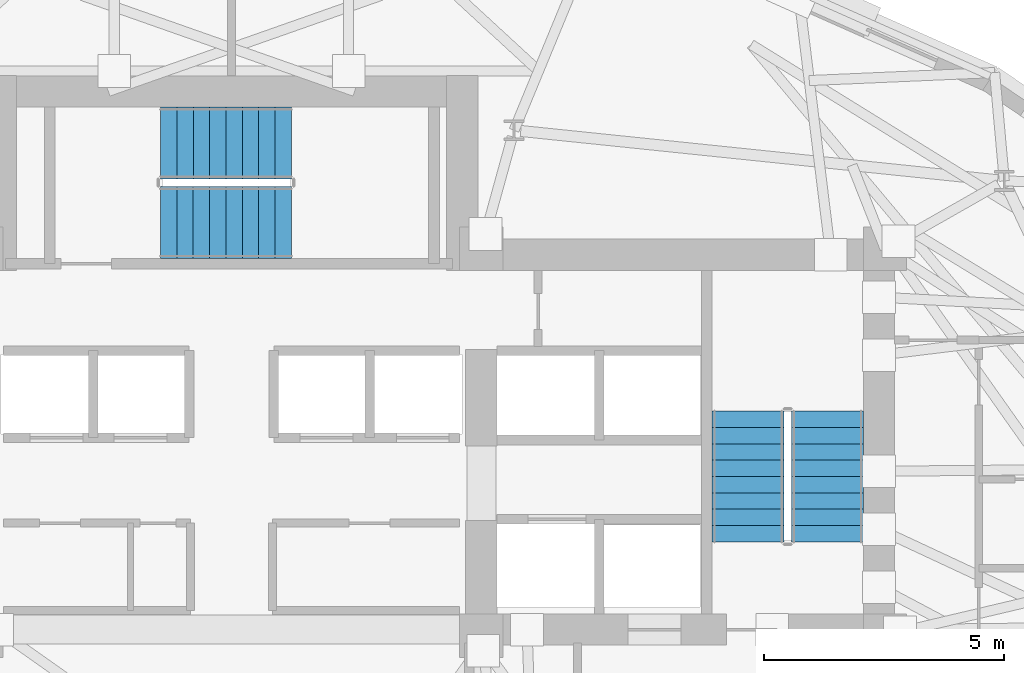
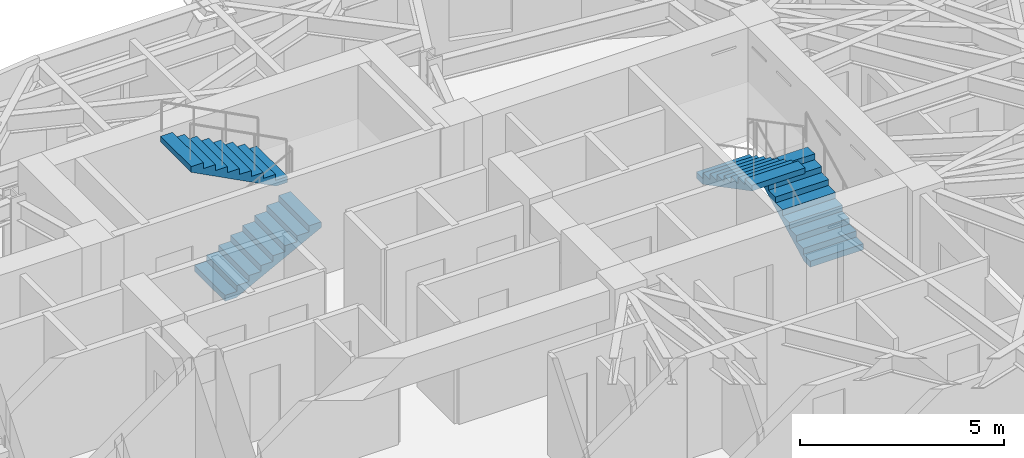
# One storey, part 11 of 15: 4 stair flights, 2 elements without a shape of their own.
"""IFC4 building model written with IfcOpenShell, lengths in metres."""

from ifc_helpers import new_model, si_unit, direction, frame, origin, place, context, subcontext, project, spatial, polyline, outline, extrude, material, type_object, element, aggregate, save


model = new_model("IFC4")

# Units and contexts
model_context = context("Model", 3, precision=1e-05, world=origin(), true_north=direction((0.0, 1.0)))
body_context = subcontext(model_context, "Body", "Model", "MODEL_VIEW")
ifc_project = project(units=[si_unit("LENGTHUNIT", "METRE"), si_unit("AREAUNIT", "SQUARE_METRE"), si_unit("VOLUMEUNIT", "CUBIC_METRE"), si_unit("PLANEANGLEUNIT", "RADIAN"), si_unit("MASSUNIT", "GRAM", prefix="KILO")], contexts=[model_context])

# Site, building, storey
site_placement = place(None, origin())
site = spatial("IfcSite", under=ifc_project, at=site_placement, CompositionType="ELEMENT")
building_placement = place(site_placement, origin())
building = spatial("IfcBuilding", under=site, at=building_placement, Name="Keldmark Tower", CompositionType="ELEMENT")
storey_placement = place(building_placement, frame((0.0, 0.0, 163.0)))
storey = spatial("IfcBuildingStorey", under=building, at=storey_placement, Name="L44", CompositionType="ELEMENT", Elevation=163.0)

# Stair, stair flights
ifc_material_1 = material(Name="Concrete C40/50", Category="concrete")
stair_type = type_object("IfcStairType", Name="Precast Concrete Core Exit Stair", PredefinedType="HALF_TURN_STAIR", material=ifc_material_1)
stair_1_placement = place(storey_placement, origin())
stair_1 = element("IfcStair", 1, at=stair_1_placement, inside=storey, type_object=stair_type, Name="L44 Exit Stair ST2", PredefinedType="HALF_TURN_STAIR")
ifc_material_2 = material(Name="Concrete C40/50", Category="concrete")
stair_flight_type = type_object("IfcStairFlightType", Name="Precast Concrete Stair Flight 1500 mm", PredefinedType="STRAIGHT", material=ifc_material_2)
stair_flight_1_placement = place(storey_placement, frame((12.39990234375, 3.35009765625, 0.0), z_axis=(0.0, 0.0, 1.0), x_axis=(0.0, 1.0, 0.0)))
stair_flight_1 = element("IfcStairFlight", 2, at=stair_flight_1_placement, type_object=stair_flight_type, Name="ST2 flight 1", NumberOfRisers=9, NumberOfTreads=8, PredefinedType="STRAIGHT", RiserHeight=0.177777778, TreadLength=0.34, context=body_context, shape_type="SweptSolid", body=[
    extrude(outline(polyline([(0.0, 0.0), (0.0, 0.177734375), (0.340087890625, 0.177734375), (0.340087890625, 0.35546875), (0.679931640625, 0.35546875), (0.679931640625, 0.533447265625), (1.02001953125, 0.533447265625), (1.02001953125, 0.711181640625), (1.360107421875, 0.711181640625), (1.360107421875, 0.888916015625), (1.699951171875, 0.888916015625), (1.699951171875, 1.066650390625), (2.0400390625, 1.066650390625), (2.0400390625, 1.244384765625), (2.3798828125, 1.244384765625), (2.3798828125, 1.422119140625), (2.719970703125, 1.422119140625), (2.719970703125, 1.60009765625), (2.719970703125, 1.253173828125), (0.323486328125, 0.0), (0.0, 0.0)])), frame((0.0, 0.75, 0.0), z_axis=(0.0, -1.0, 0.0), x_axis=(1.0, 0.0, 0.0)), (0.0, 0.0, 1.0), 1.5),
])
stair_flight_2_placement = place(storey_placement, frame((10.75, 6.070068359375, 1.60009765625), z_axis=(0.0, 0.0, 1.0), x_axis=(0.0, -1.0, 0.0)))
stair_flight_2 = element("IfcStairFlight", 3, at=stair_flight_2_placement, type_object=stair_flight_type, Name="ST2 flight 2", NumberOfRisers=9, NumberOfTreads=8, PredefinedType="STRAIGHT", RiserHeight=0.177777778, TreadLength=0.34, context=body_context, shape_type="SweptSolid", body=[
    extrude(outline(polyline([(0.0, 0.0), (0.0, 0.177734375), (0.340087890625, 0.177734375), (0.340087890625, 0.35546875), (0.679931640625, 0.35546875), (0.679931640625, 0.533447265625), (1.02001953125, 0.533447265625), (1.02001953125, 0.711181640625), (1.360107421875, 0.711181640625), (1.360107421875, 0.888916015625), (1.699951171875, 0.888916015625), (1.699951171875, 1.066650390625), (2.0400390625, 1.066650390625), (2.0400390625, 1.244384765625), (2.3798828125, 1.244384765625), (2.3798828125, 1.422119140625), (2.719970703125, 1.422119140625), (2.719970703125, 1.60009765625), (2.719970703125, 1.253173828125), (0.323486328125, 0.0), (0.0, 0.0)])), frame((0.0, 0.75, 0.0), z_axis=(0.0, -1.0, 0.0), x_axis=(1.0, 0.0, 0.0)), (0.0, 0.0, 1.0), 1.5),
])
aggregate(stair_1, [stair_flight_1, stair_flight_2])

stair_2_placement = place(storey_placement, origin())
stair_2 = element("IfcStair", 4, at=stair_2_placement, inside=storey, type_object=stair_type, Name="L44 Exit Stair ST3", PredefinedType="HALF_TURN_STAIR")
stair_flight_3_placement = place(storey_placement, frame((-1.47509765625, 10.0, 0.0), z_axis=(0.0, 0.0, 1.0), x_axis=(1.0, 0.0, 0.0)))
stair_flight_3 = element("IfcStairFlight", 5, at=stair_flight_3_placement, type_object=stair_flight_type, Name="ST3 flight 1", NumberOfRisers=9, NumberOfTreads=8, PredefinedType="STRAIGHT", RiserHeight=0.177777778, TreadLength=0.34, context=body_context, shape_type="SweptSolid", body=[
    extrude(outline(polyline([(0.0, 0.0), (0.0, 0.177734375), (0.340087890625, 0.177734375), (0.340087890625, 0.35546875), (0.679931640625, 0.35546875), (0.679931640625, 0.533447265625), (1.02001953125, 0.533447265625), (1.02001953125, 0.711181640625), (1.360107421875, 0.711181640625), (1.360107421875, 0.888916015625), (1.699951171875, 0.888916015625), (1.699951171875, 1.066650390625), (2.0400390625, 1.066650390625), (2.0400390625, 1.244384765625), (2.3798828125, 1.244384765625), (2.3798828125, 1.422119140625), (2.719970703125, 1.422119140625), (2.719970703125, 1.60009765625), (2.719970703125, 1.253173828125), (0.323486328125, 0.0), (0.0, 0.0)])), frame((0.0, 0.75, 0.0), z_axis=(0.0, -1.0, 0.0), x_axis=(1.0, 0.0, 0.0)), (0.0, 0.0, 1.0), 1.5),
])
stair_flight_4_placement = place(storey_placement, frame((1.2451171875, 11.64990234375, 1.60009765625), z_axis=(0.0, 0.0, 1.0), x_axis=(-1.0, 0.0, 0.0)))
stair_flight_4 = element("IfcStairFlight", 6, at=stair_flight_4_placement, type_object=stair_flight_type, Name="ST3 flight 2", NumberOfRisers=9, NumberOfTreads=8, PredefinedType="STRAIGHT", RiserHeight=0.177777778, TreadLength=0.34, context=body_context, shape_type="SweptSolid", body=[
    extrude(outline(polyline([(0.0, 0.0), (0.0, 0.177734375), (0.340087890625, 0.177734375), (0.340087890625, 0.35546875), (0.679931640625, 0.35546875), (0.679931640625, 0.533447265625), (1.02001953125, 0.533447265625), (1.02001953125, 0.711181640625), (1.360107421875, 0.711181640625), (1.360107421875, 0.888916015625), (1.699951171875, 0.888916015625), (1.699951171875, 1.066650390625), (2.0400390625, 1.066650390625), (2.0400390625, 1.244384765625), (2.3798828125, 1.244384765625), (2.3798828125, 1.422119140625), (2.719970703125, 1.422119140625), (2.719970703125, 1.60009765625), (2.719970703125, 1.253173828125), (0.323486328125, 0.0), (0.0, 0.0)])), frame((0.0, 0.75, 0.0), z_axis=(0.0, -1.0, 0.0), x_axis=(1.0, 0.0, 0.0)), (0.0, 0.0, 1.0), 1.5),
])
aggregate(stair_2, [stair_flight_3, stair_flight_4])

save(model, "model.ifc")
